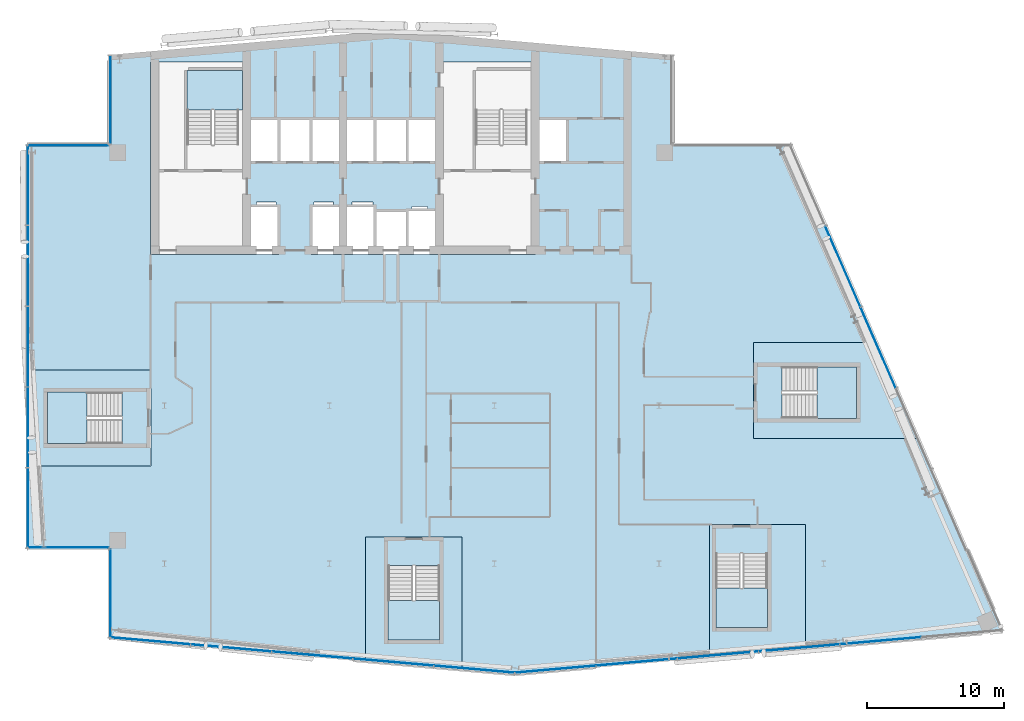
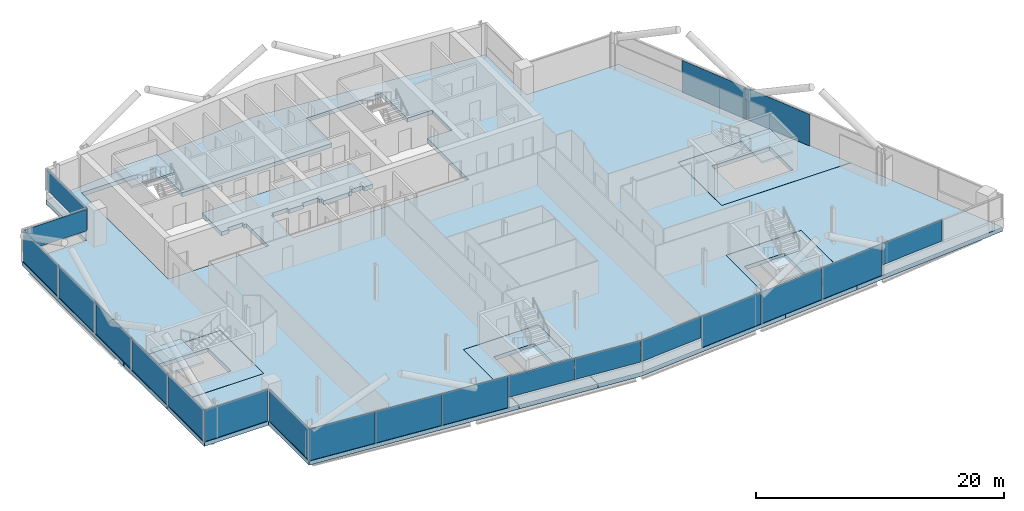
# One storey, part 13 of 25: 21 plates, 10 slabs, 13 elements without a shape of their own.
"""IFC4 building model written with IfcOpenShell, lengths in metres."""

from ifc_helpers import new_model, si_unit, direction, frame, origin, origin_2d, place, context, subcontext, project, spatial, polyline, rectangle, outline, extrude, material, layer, layer_set, type_object, element, aggregate, save


model = new_model("IFC4")

# Units and contexts
model_context = context("Model", 3, precision=1e-05, world=origin(), true_north=direction((0.0, 1.0)))
body_context = subcontext(model_context, "Body", "Model", "MODEL_VIEW")
ifc_project = project(units=[si_unit("LENGTHUNIT", "METRE"), si_unit("AREAUNIT", "SQUARE_METRE"), si_unit("VOLUMEUNIT", "CUBIC_METRE"), si_unit("PLANEANGLEUNIT", "RADIAN"), si_unit("MASSUNIT", "GRAM", prefix="KILO")], contexts=[model_context])

# Site, building, storey
site_placement = place(None, origin())
site = spatial("IfcSite", under=ifc_project, at=site_placement, CompositionType="ELEMENT")
building_placement = place(site_placement, origin())
building = spatial("IfcBuilding", under=site, at=building_placement, Name="Wharfspan Tower", CompositionType="ELEMENT")
storey_placement = place(building_placement, frame((0.0, 0.0, 239.5)))
storey = spatial("IfcBuildingStorey", under=building, at=storey_placement, Name="L60", CompositionType="ELEMENT", Elevation=239.5)

# Curtain wall, plates
ifc_material_1 = material(Name="Aluminium 6063-T6", Category="aluminium")
curtain_wall_type_1 = type_object("IfcCurtainWallType", Name="CURTAIN WALL FACETED FRONT", PredefinedType="NOTDEFINED", material=ifc_material_1)
curtain_wall_1_placement = place(storey_placement, origin())
curtain_wall_1 = element("IfcCurtainWall", 1, at=curtain_wall_1_placement, inside=storey, type_object=curtain_wall_type_1, Name="Curtain wall S1", PredefinedType="NOTDEFINED")
ifc_material_2 = material(Name="Glass clear low-iron double glazing", Category="glass")
ifc_layer_1 = layer(ifc_material_2, 0.040039)
ifc_layer_set_1 = layer_set([ifc_layer_1], Name="Glass clear low-iron double glazing")
plate_type_1 = type_object("IfcPlateType", Name="GLASS PANEL FACETED FRONT 40", PredefinedType="CURTAIN_PANEL", material=ifc_layer_set_1)
plate_1_placement = place(storey_placement, frame((40.655273, 4.328125, 1.0), z_axis=(0.0, 0.0, 1.0), x_axis=(0.996197, -0.087156, 0.0)))
plate_1 = element("IfcPlate", 2, at=plate_1_placement, type_object=plate_type_1, Name="Curtain wall S1 panel 4", PredefinedType="CURTAIN_PANEL", context=body_context, shape_type="SweptSolid", body=[
    extrude(rectangle(XDim=5.862549, YDim=0.040039, at=origin_2d()), origin(), (0.0, 0.0, 1.0), 2.120117),
])
plate_2_placement = place(storey_placement, frame((46.540283, 3.813232, 1.0), z_axis=(0.0, 0.0, 1.0), x_axis=(0.996197, -0.087156, 0.0)))
plate_2 = element("IfcPlate", 3, at=plate_2_placement, type_object=plate_type_1, Name="Curtain wall S1 panel 5", PredefinedType="CURTAIN_PANEL", context=body_context, shape_type="SweptSolid", body=[
    extrude(rectangle(XDim=5.83252, YDim=0.040039, at=origin_2d()), origin(), (0.0, 0.0, 1.0), 2.120117),
])

curtain_wall_2_placement = place(storey_placement, origin())
curtain_wall_2 = element("IfcCurtainWall", 4, at=curtain_wall_2_placement, inside=storey, type_object=curtain_wall_type_1, Name="Curtain wall S2", PredefinedType="NOTDEFINED")
plate_3_placement = place(storey_placement, frame((52.468018, 3.813965, 1.0), z_axis=(0.0, 0.0, 1.0), x_axis=(0.996197, 0.087156, 0.0)))
plate_3 = element("IfcPlate", 5, at=plate_3_placement, type_object=plate_type_1, Name="Curtain wall S2 panel 1", PredefinedType="CURTAIN_PANEL", context=body_context, shape_type="SweptSolid", body=[
    extrude(rectangle(XDim=5.849365, YDim=0.040039, at=origin_2d()), origin(), (0.0, 0.0, 1.0), 2.120117),
])
plate_4_placement = place(storey_placement, frame((76.119873, 5.883301, 1.0), z_axis=(0.0, 0.0, 1.0), x_axis=(0.996197, 0.087156, 0.0)))
plate_4 = element("IfcPlate", 6, at=plate_4_placement, type_object=plate_type_1, Name="Curtain wall S2 panel 5", PredefinedType="CURTAIN_PANEL", context=body_context, shape_type="SweptSolid", body=[
    extrude(rectangle(XDim=5.87915, YDim=0.040039, at=origin_2d()), origin(), (0.0, 0.0, 1.0), 2.120117),
])

# Curtain wall, plate
curtain_wall_type_2 = type_object("IfcCurtainWallType", Name="CURTAIN WALL PROW AND END", PredefinedType="NOTDEFINED", material=ifc_material_1)
curtain_wall_3_placement = place(storey_placement, origin())
curtain_wall_3 = element("IfcCurtainWall", 7, at=curtain_wall_3_placement, inside=storey, type_object=curtain_wall_type_2, Name="Curtain wall NRW-V", PredefinedType="NOTDEFINED")
ifc_layer_2 = layer(ifc_material_2, 0.040039)
ifc_layer_set_2 = layer_set([ifc_layer_2], Name="Glass clear low-iron double glazing")
plate_type_2 = type_object("IfcPlateType", Name="GLASS PANEL PROW AND END 40", PredefinedType="CURTAIN_PANEL", material=ifc_layer_set_2)
plate_5_placement = place(storey_placement, frame((20.080078, 45.262451, 1.0), z_axis=(0.0, 0.0, 1.0), x_axis=(0.0, -1.0, 0.0)))
plate_5 = element("IfcPlate", 8, at=plate_5_placement, type_object=plate_type_2, Name="Curtain wall NRW-V panel 1", PredefinedType="CURTAIN_PANEL", context=body_context, shape_type="SweptSolid", body=[
    extrude(rectangle(XDim=6.405029, YDim=0.040039, at=origin_2d()), origin(), (0.0, 0.0, 1.0), 2.120117),
])
aggregate(curtain_wall_3, [plate_5])

curtain_wall_4_placement = place(storey_placement, origin())
curtain_wall_4 = element("IfcCurtainWall", 9, at=curtain_wall_4_placement, inside=storey, type_object=curtain_wall_type_2, Name="Curtain wall NRW-H", PredefinedType="NOTDEFINED")
plate_6_placement = place(storey_placement, frame((17.0, 41.919922, 1.0), z_axis=(0.0, 0.0, 1.0), x_axis=(-1.0, 0.0, 0.0)))
plate_6 = element("IfcPlate", 10, at=plate_6_placement, type_object=plate_type_2, Name="Curtain wall NRW-H panel 1", PredefinedType="CURTAIN_PANEL", context=body_context, shape_type="SweptSolid", body=[
    extrude(rectangle(XDim=5.879883, YDim=0.040039, at=origin_2d()), origin(), (0.0, 0.0, 1.0), 2.120117),
])
aggregate(curtain_wall_4, [plate_6])

# Plate
ifc_material_3 = material(Name="Aluminium composite opaque insulated panel", Category="aluminium")
ifc_layer_3 = layer(ifc_material_3, 0.040039)
ifc_layer_set_3 = layer_set([ifc_layer_3], Name="Aluminium composite opaque insulated panel")
plate_type_3 = type_object("IfcPlateType", Name="INFILL PANEL FACETED FRONT OPAQUE 40", PredefinedType="SHEET", material=ifc_layer_set_3)
plate_7_placement = place(storey_placement, frame((22.970215, 5.875488, 0.0), z_axis=(0.0, 0.0, 1.0), x_axis=(0.996197, -0.087156, 0.0)))
plate_7 = element("IfcPlate", 11, at=plate_7_placement, type_object=plate_type_3, Name="Curtain wall S1 panel 1", PredefinedType="SHEET", context=body_context, shape_type="SweptSolid", body=[
    extrude(rectangle(XDim=5.83252, YDim=0.040039, at=origin_2d()), origin(), (0.0, 0.0, 1.0), 3.120117),
])

plate_8_placement = place(storey_placement, frame((28.855225, 5.360596, 0.0), z_axis=(0.0, 0.0, 1.0), x_axis=(0.996197, -0.087156, 0.0)))
plate_8 = element("IfcPlate", 12, at=plate_8_placement, type_object=plate_type_3, Name="Curtain wall S1 panel 2", PredefinedType="SHEET", context=body_context, shape_type="SweptSolid", body=[
    extrude(rectangle(XDim=5.862549, YDim=0.040039, at=origin_2d()), origin(), (0.0, 0.0, 1.0), 3.120117),
])

plate_9_placement = place(storey_placement, frame((34.755127, 4.844482, 0.0), z_axis=(0.0, 0.0, 1.0), x_axis=(0.996197, -0.087156, 0.0)))
plate_9 = element("IfcPlate", 13, at=plate_9_placement, type_object=plate_type_3, Name="Curtain wall S1 panel 3", PredefinedType="SHEET", context=body_context, shape_type="SweptSolid", body=[
    extrude(rectangle(XDim=5.862549, YDim=0.040039, at=origin_2d()), origin(), (0.0, 0.0, 1.0), 3.120117),
])

aggregate(curtain_wall_1, [plate_7, plate_8, plate_9, plate_1, plate_2])

plate_10_placement = place(storey_placement, frame((58.369873, 4.330322, 0.0), z_axis=(0.0, 0.0, 1.0), x_axis=(0.996197, 0.087156, 0.0)))
plate_10 = element("IfcPlate", 14, at=plate_10_placement, type_object=plate_type_3, Name="Curtain wall S2 panel 2", PredefinedType="SHEET", context=body_context, shape_type="SweptSolid", body=[
    extrude(rectangle(XDim=5.87915, YDim=0.040039, at=origin_2d()), origin(), (0.0, 0.0, 1.0), 3.120117),
])

plate_11_placement = place(storey_placement, frame((64.286377, 4.848145, 0.0), z_axis=(0.0, 0.0, 1.0), x_axis=(0.996197, 0.087156, 0.0)))
plate_11 = element("IfcPlate", 15, at=plate_11_placement, type_object=plate_type_3, Name="Curtain wall S2 panel 3", PredefinedType="SHEET", context=body_context, shape_type="SweptSolid", body=[
    extrude(rectangle(XDim=5.87915, YDim=0.040039, at=origin_2d()), origin(), (0.0, 0.0, 1.0), 3.120117),
])

plate_12_placement = place(storey_placement, frame((70.203125, 5.365723, 0.0), z_axis=(0.0, 0.0, 1.0), x_axis=(0.996197, 0.087156, 0.0)))
plate_12 = element("IfcPlate", 16, at=plate_12_placement, type_object=plate_type_3, Name="Curtain wall S2 panel 4", PredefinedType="SHEET", context=body_context, shape_type="SweptSolid", body=[
    extrude(rectangle(XDim=5.87915, YDim=0.040039, at=origin_2d()), origin(), (0.0, 0.0, 1.0), 3.120117),
])

aggregate(curtain_wall_2, [plate_3, plate_10, plate_11, plate_12, plate_4])

# Curtain wall, plates
curtain_wall_5_placement = place(storey_placement, origin())
curtain_wall_5 = element("IfcCurtainWall", 17, at=curtain_wall_5_placement, inside=storey, type_object=curtain_wall_type_2, Name="Curtain wall E", PredefinedType="NOTDEFINED")
ifc_layer_4 = layer(ifc_material_3, 0.040039)
ifc_layer_set_4 = layer_set([ifc_layer_4], Name="Aluminium composite opaque insulated panel")
plate_type_4 = type_object("IfcPlateType", Name="INFILL PANEL PROW AND END OPAQUE 40", PredefinedType="SHEET", material=ifc_layer_set_4)
plate_13_placement = place(storey_placement, frame((75.948486, 27.218018, 0.0), z_axis=(0.0, 0.0, 1.0), x_axis=(-0.398727, 0.917072, 0.0)))
plate_13 = element("IfcPlate", 18, at=plate_13_placement, type_object=plate_type_4, Name="Curtain wall E panel 4", PredefinedType="SHEET", context=body_context, shape_type="SweptSolid", body=[
    extrude(rectangle(XDim=6.373535, YDim=0.040039, at=origin_2d()), origin(), (0.0, 0.0, 1.0), 3.120117),
])
plate_14_placement = place(storey_placement, frame((73.383057, 33.118164, 0.0), z_axis=(0.0, 0.0, 1.0), x_axis=(-0.398727, 0.917072, 0.0)))
plate_14 = element("IfcPlate", 19, at=plate_14_placement, type_object=plate_type_4, Name="Curtain wall E panel 5", PredefinedType="SHEET", context=body_context, shape_type="SweptSolid", body=[
    extrude(rectangle(XDim=6.373535, YDim=0.040039, at=origin_2d()), origin(), (0.0, 0.0, 1.0), 3.120117),
])
aggregate(curtain_wall_5, [plate_13, plate_14])

curtain_wall_6_placement = place(storey_placement, origin())
curtain_wall_6 = element("IfcCurtainWall", 20, at=curtain_wall_6_placement, inside=storey, type_object=curtain_wall_type_2, Name="Curtain wall W", PredefinedType="NOTDEFINED")
plate_15_placement = place(storey_placement, frame((14.080078, 39.044922, 0.0), z_axis=(0.0, 0.0, 1.0), x_axis=(0.0, -1.0, 0.0)))
plate_15 = element("IfcPlate", 21, at=plate_15_placement, type_object=plate_type_4, Name="Curtain wall W panel 1", PredefinedType="SHEET", context=body_context, shape_type="SweptSolid", body=[
    extrude(rectangle(XDim=5.790039, YDim=0.040039, at=origin_2d()), origin(), (0.0, 0.0, 1.0), 3.120117),
])
plate_16_placement = place(storey_placement, frame((14.080078, 33.179932, 0.0), z_axis=(0.0, 0.0, 1.0), x_axis=(0.0, -1.0, 0.0)))
plate_16 = element("IfcPlate", 22, at=plate_16_placement, type_object=plate_type_4, Name="Curtain wall W panel 2", PredefinedType="SHEET", context=body_context, shape_type="SweptSolid", body=[
    extrude(rectangle(XDim=5.820068, YDim=0.040039, at=origin_2d()), origin(), (0.0, 0.0, 1.0), 3.120117),
])
plate_17_placement = place(storey_placement, frame((14.080078, 27.300049, 0.0), z_axis=(0.0, 0.0, 1.0), x_axis=(0.0, -1.0, 0.0)))
plate_17 = element("IfcPlate", 23, at=plate_17_placement, type_object=plate_type_4, Name="Curtain wall W panel 3", PredefinedType="SHEET", context=body_context, shape_type="SweptSolid", body=[
    extrude(rectangle(XDim=5.820068, YDim=0.040039, at=origin_2d()), origin(), (0.0, 0.0, 1.0), 3.120117),
])
plate_18_placement = place(storey_placement, frame((14.080078, 21.419922, 0.0), z_axis=(0.0, 0.0, 1.0), x_axis=(0.0, -1.0, 0.0)))
plate_18 = element("IfcPlate", 24, at=plate_18_placement, type_object=plate_type_4, Name="Curtain wall W panel 4", PredefinedType="SHEET", context=body_context, shape_type="SweptSolid", body=[
    extrude(rectangle(XDim=5.820068, YDim=0.040039, at=origin_2d()), origin(), (0.0, 0.0, 1.0), 3.120117),
])
plate_19_placement = place(storey_placement, frame((14.080078, 15.554932, 0.0), z_axis=(0.0, 0.0, 1.0), x_axis=(0.0, -1.0, 0.0)))
plate_19 = element("IfcPlate", 25, at=plate_19_placement, type_object=plate_type_4, Name="Curtain wall W panel 5", PredefinedType="SHEET", context=body_context, shape_type="SweptSolid", body=[
    extrude(rectangle(XDim=5.790039, YDim=0.040039, at=origin_2d()), origin(), (0.0, 0.0, 1.0), 3.120117),
])
aggregate(curtain_wall_6, [plate_15, plate_16, plate_17, plate_18, plate_19])

# Curtain wall, plate
curtain_wall_7_placement = place(storey_placement, origin())
curtain_wall_7 = element("IfcCurtainWall", 26, at=curtain_wall_7_placement, inside=storey, type_object=curtain_wall_type_2, Name="Curtain wall NFW-H", PredefinedType="NOTDEFINED")
plate_20_placement = place(storey_placement, frame((17.0, 12.679932, 0.0), z_axis=(0.0, 0.0, 1.0), x_axis=(1.0, 0.0, 0.0)))
plate_20 = element("IfcPlate", 27, at=plate_20_placement, type_object=plate_type_4, Name="Curtain wall NFW-H panel 1", PredefinedType="SHEET", context=body_context, shape_type="SweptSolid", body=[
    extrude(rectangle(XDim=5.879883, YDim=0.040039, at=origin_2d()), origin(), (0.0, 0.0, 1.0), 3.120117),
])
aggregate(curtain_wall_7, [plate_20])

curtain_wall_8_placement = place(storey_placement, origin())
curtain_wall_8 = element("IfcCurtainWall", 28, at=curtain_wall_8_placement, inside=storey, type_object=curtain_wall_type_2, Name="Curtain wall NFW-V", PredefinedType="NOTDEFINED")
plate_21_placement = place(storey_placement, frame((20.080078, 9.337646, 0.0), z_axis=(0.0, 0.0, 1.0), x_axis=(0.0, -1.0, 0.0)))
plate_21 = element("IfcPlate", 29, at=plate_21_placement, type_object=plate_type_4, Name="Curtain wall NFW-V panel 1", PredefinedType="SHEET", context=body_context, shape_type="SweptSolid", body=[
    extrude(rectangle(XDim=6.405029, YDim=0.040039, at=origin_2d()), origin(), (0.0, 0.0, 1.0), 3.120117),
])
aggregate(curtain_wall_8, [plate_21])

# Slabs
ifc_material_4 = material(Name="Concrete C40/50", Category="concrete")
ifc_layer_5 = layer(ifc_material_4, 0.399902)
ifc_layer_set_5 = layer_set([ifc_layer_5], Name="Concrete C40/50")
slab_type_1 = type_object("IfcSlabType", Name="Post-tensioned flat slab 400", PredefinedType="FLOOR", material=ifc_layer_set_5)
slab_1_placement = place(storey_placement, frame((0.0, 0.0, -0.400146)))
element("IfcSlab", 30, at=slab_1_placement, inside=storey, type_object=slab_type_1, Name="Floor slab L60", PredefinedType="FLOOR", context=body_context, shape_type="SweptSolid", body=[
    extrude(outline(polyline([(38.64209, 4.444092), (38.64209, 13.453125), (45.662109, 13.453125), (45.662109, 3.829834), (49.5, 3.494141), (63.658691, 4.73291), (63.658691, 14.356201), (70.678711, 14.356201), (70.678711, 5.347168), (85.0, 6.600098), (78.91748, 20.590088), (66.859619, 20.590088), (66.859619, 27.610107), (75.865234, 27.610107), (69.608643, 42.0), (61.0, 42.0), (61.0, 48.524902), (40.5, 50.318359), (20.0, 48.524902), (20.0, 42.0), (14.0, 42.0), (14.0, 25.610107), (23.01001, 25.610107), (23.01001, 18.590088), (14.0, 18.590088), (14.0, 12.600098), (20.0, 12.600098), (20.0, 6.075195), (38.64209, 4.444092)]), holes=[polyline([(32.126709, 37.560059), (32.343262, 37.560059), (32.343262, 33.98999), (22.98999, 33.98999), (22.98999, 48.01001), (30.01001, 48.01001), (30.01001, 43.909912), (43.98999, 43.909912), (43.98999, 48.01001), (51.01001, 48.01001), (51.01001, 43.909912), (53.343262, 43.909912), (53.343262, 40.689941), (51.01001, 40.689941), (51.01001, 33.98999), (34.656738, 33.98999), (34.656738, 37.560059), (34.873291, 37.560059), (34.873291, 37.810059), (36.293213, 37.810059), (36.293213, 37.560059), (37.666748, 37.560059), (37.666748, 37.810059), (39.166748, 37.810059), (39.166748, 37.560059), (39.343262, 37.560059), (39.343262, 37.209961), (41.656738, 37.209961), (41.656738, 37.26001), (42.023193, 37.26001), (42.023193, 37.51001), (43.143311, 37.51001), (43.143311, 37.26001), (43.98999, 37.26001), (43.98999, 40.689941), (30.01001, 40.689941), (30.01001, 37.560059), (30.706787, 37.560059), (30.706787, 37.810059), (32.126709, 37.810059), (32.126709, 37.560059)])]), origin(), (0.0, 0.0, 1.0), 0.400146),
])
slab_2_placement = place(storey_placement, frame((0.0, 0.0, -0.400146)))
element("IfcSlab", 31, at=slab_2_placement, inside=storey, type_object=slab_type_1, Name="Core floor slab L60 part 1", PredefinedType="FLOOR", context=body_context, shape_type="SweptSolid", body=[
    extrude(outline(polyline([(23.0, 19.925049), (23.0, 24.274902), (23.0, 25.600098), (14.0, 25.600098), (14.0, 18.600098), (23.0, 18.600098), (23.0, 19.925049)]), holes=[polyline([(20.899902, 23.977051), (20.900146, 23.977051), (20.900391, 23.977051), (20.900635, 23.976807), (20.900879, 23.976807), (20.900879, 23.976807), (20.901123, 23.976807), (20.901367, 23.976562), (20.901367, 23.976318), (20.901611, 23.976318), (20.901611, 23.976074), (20.901855, 23.97583), (20.901855, 23.97583), (20.901855, 23.975586), (20.9021, 23.975342), (20.9021, 23.975098), (20.9021, 23.975098), (20.9021, 20.225098), (20.9021, 20.224854), (20.9021, 20.224609), (20.901855, 20.224365), (20.901855, 20.224121), (20.901855, 20.224121), (20.901611, 20.223877), (20.901611, 20.223633), (20.901367, 20.223633), (20.901367, 20.223389), (20.901123, 20.223389), (20.900879, 20.223145), (20.900879, 20.223145), (20.900635, 20.223145), (20.900391, 20.2229), (20.900146, 20.2229), (20.899902, 20.2229), (15.5, 20.2229), (15.499756, 20.2229), (15.499512, 20.2229), (15.499512, 20.223145), (15.499268, 20.223145), (15.499023, 20.223145), (15.498779, 20.223389), (15.498779, 20.223389), (15.498535, 20.223633), (15.498535, 20.223633), (15.498291, 20.223877), (15.498291, 20.224121), (15.498291, 20.224121), (15.498047, 20.224365), (15.498047, 20.224609), (15.498047, 20.224854), (15.498047, 20.225098), (15.498047, 23.975098), (15.498047, 23.975098), (15.498047, 23.975342), (15.498047, 23.975586), (15.498291, 23.97583), (15.498291, 23.97583), (15.498291, 23.976074), (15.498535, 23.976318), (15.498535, 23.976318), (15.498779, 23.976562), (15.498779, 23.976807), (15.499023, 23.976807), (15.499268, 23.976807), (15.499512, 23.976807), (15.499512, 23.977051), (15.499756, 23.977051), (15.5, 23.977051), (20.899902, 23.977051)])]), origin(), (0.0, 0.0, 1.0), 0.400146),
])
slab_3_placement = place(storey_placement, frame((0.0, 0.0, -0.400146)))
element("IfcSlab", 32, at=slab_3_placement, inside=storey, type_object=slab_type_1, Name="Core floor slab L60 part 3", PredefinedType="FLOOR", context=body_context, shape_type="SweptSolid", body=[
    extrude(outline(polyline([(44.327148, 13.443115), (39.977051, 13.443115), (38.6521, 13.443115), (38.6521, 4.443115), (45.6521, 3.830811), (45.6521, 13.443115), (44.327148, 13.443115)]), holes=[polyline([(40.275146, 11.343262), (40.275146, 11.343506), (40.275146, 11.343506), (40.275146, 11.34375), (40.275391, 11.343994), (40.275391, 11.344238), (40.275391, 11.344238), (40.275635, 11.344482), (40.275635, 11.344482), (40.275879, 11.344727), (40.275879, 11.344971), (40.276123, 11.344971), (40.276367, 11.345215), (40.276611, 11.345215), (40.276611, 11.345215), (40.276855, 11.345215), (40.2771, 11.345215), (44.0271, 11.345215), (44.027344, 11.345215), (44.027588, 11.345215), (44.027588, 11.345215), (44.027832, 11.345215), (44.028076, 11.344971), (44.02832, 11.344971), (44.02832, 11.344727), (44.028564, 11.344482), (44.028809, 11.344482), (44.028809, 11.344238), (44.028809, 11.344238), (44.029053, 11.343994), (44.029053, 11.34375), (44.029053, 11.343506), (44.029053, 11.343506), (44.029053, 11.343262), (44.029053, 5.943115), (44.029053, 5.943115), (44.029053, 5.942871), (44.029053, 5.942627), (44.029053, 5.942383), (44.028809, 5.942383), (44.028809, 5.942139), (44.028809, 5.941895), (44.028564, 5.941895), (44.02832, 5.94165), (44.02832, 5.94165), (44.028076, 5.941406), (44.027832, 5.941406), (44.027588, 5.941406), (44.027588, 5.941406), (44.027344, 5.941162), (44.0271, 5.941162), (40.2771, 5.941162), (40.276855, 5.941162), (40.276611, 5.941406), (40.276611, 5.941406), (40.276367, 5.941406), (40.276123, 5.941406), (40.275879, 5.94165), (40.275879, 5.94165), (40.275635, 5.941895), (40.275635, 5.941895), (40.275391, 5.942139), (40.275391, 5.942383), (40.275391, 5.942383), (40.275146, 5.942627), (40.275146, 5.942871), (40.275146, 5.943115), (40.275146, 5.943115), (40.275146, 11.343262)])]), origin(), (0.0, 0.0, 1.0), 0.400146),
])
slab_4_placement = place(storey_placement, frame((0.0, 0.0, -0.400146)))
element("IfcSlab", 33, at=slab_4_placement, inside=storey, type_object=slab_type_1, Name="Core floor slab L60 part 4", PredefinedType="FLOOR", context=body_context, shape_type="SweptSolid", body=[
    extrude(outline(polyline([(70.668701, 14.346191), (68.193848, 14.346191), (63.84375, 14.346191), (63.668701, 14.346191), (63.668701, 4.733887), (70.668701, 5.346191), (70.668701, 14.346191)]), holes=[polyline([(64.141846, 12.246094), (64.141846, 12.246338), (64.141846, 12.246582), (64.141846, 12.246826), (64.14209, 12.246826), (64.14209, 12.24707), (64.14209, 12.247314), (64.142334, 12.247559), (64.142334, 12.247559), (64.142578, 12.247803), (64.142578, 12.247803), (64.142822, 12.247803), (64.143066, 12.248047), (64.143311, 12.248047), (64.143311, 12.248047), (64.143555, 12.248291), (64.143799, 12.248291), (67.893799, 12.248291), (67.894043, 12.248291), (67.894287, 12.248047), (67.894287, 12.248047), (67.894531, 12.248047), (67.894775, 12.247803), (67.89502, 12.247803), (67.89502, 12.247803), (67.895264, 12.247559), (67.895508, 12.247559), (67.895508, 12.247314), (67.895508, 12.24707), (67.895752, 12.246826), (67.895752, 12.246826), (67.895752, 12.246582), (67.895752, 12.246338), (67.895752, 12.246094), (67.895752, 6.846191), (67.895752, 6.845947), (67.895752, 6.845703), (67.895752, 6.845703), (67.895752, 6.845459), (67.895508, 6.845215), (67.895508, 6.845215), (67.895508, 6.844971), (67.895264, 6.844727), (67.89502, 6.844482), (67.89502, 6.844482), (67.894775, 6.844482), (67.894531, 6.844238), (67.894287, 6.844238), (67.894287, 6.844238), (67.894043, 6.844238), (67.893799, 6.844238), (64.143799, 6.844238), (64.143555, 6.844238), (64.143311, 6.844238), (64.143311, 6.844238), (64.143066, 6.844238), (64.142822, 6.844482), (64.142578, 6.844482), (64.142578, 6.844482), (64.142334, 6.844727), (64.142334, 6.844971), (64.14209, 6.845215), (64.14209, 6.845215), (64.14209, 6.845459), (64.141846, 6.845703), (64.141846, 6.845703), (64.141846, 6.845947), (64.141846, 6.846191), (64.141846, 12.246094)])]), origin(), (0.0, 0.0, 1.0), 0.400146),
])
slab_5_placement = place(storey_placement, frame((0.0, 0.0, -0.400146)))
element("IfcSlab", 34, at=slab_5_placement, inside=storey, type_object=slab_type_1, Name="Core floor slab L60 part 5", PredefinedType="FLOOR", context=body_context, shape_type="SweptSolid", body=[
    extrude(outline(polyline([(75.869629, 27.600098), (66.869629, 27.600098), (66.869629, 26.125), (66.869629, 21.774902), (66.869629, 20.600098), (78.913086, 20.600098), (75.869629, 27.600098)]), holes=[polyline([(68.967529, 25.824951), (68.967529, 25.825195), (68.967529, 25.825439), (68.967773, 25.825684), (68.967773, 25.825684), (68.967773, 25.825928), (68.968018, 25.826172), (68.968018, 25.826416), (68.968262, 25.826416), (68.968262, 25.826416), (68.968506, 25.82666), (68.968506, 25.826904), (68.96875, 25.826904), (68.968994, 25.826904), (68.969238, 25.826904), (68.969482, 25.826904), (68.969482, 25.826904), (74.369629, 25.826904), (74.369873, 25.826904), (74.370117, 25.826904), (74.370117, 25.826904), (74.370361, 25.826904), (74.370605, 25.826904), (74.370605, 25.82666), (74.37085, 25.826416), (74.371094, 25.826416), (74.371094, 25.826416), (74.371094, 25.826172), (74.371338, 25.825928), (74.371338, 25.825684), (74.371582, 25.825684), (74.371582, 25.825439), (74.371582, 25.825195), (74.371582, 25.824951), (74.371582, 22.074951), (74.371582, 22.074707), (74.371582, 22.074707), (74.371582, 22.074463), (74.371338, 22.074219), (74.371338, 22.074219), (74.371094, 22.073975), (74.371094, 22.07373), (74.371094, 22.073486), (74.37085, 22.073486), (74.370605, 22.073242), (74.370605, 22.073242), (74.370361, 22.073242), (74.370117, 22.072998), (74.370117, 22.072998), (74.369873, 22.072998), (74.369629, 22.072998), (68.969482, 22.072998), (68.969482, 22.072998), (68.969238, 22.072998), (68.968994, 22.072998), (68.96875, 22.073242), (68.968506, 22.073242), (68.968506, 22.073242), (68.968262, 22.073486), (68.968262, 22.073486), (68.968018, 22.07373), (68.968018, 22.073975), (68.967773, 22.074219), (68.967773, 22.074219), (68.967773, 22.074463), (68.967529, 22.074707), (68.967529, 22.074707), (68.967529, 22.074951), (68.967529, 25.824951)])]), origin(), (0.0, 0.0, 1.0), 0.400146),
])

# Stair, slab
stair_type = type_object("IfcStairType", Name="Half-turn stair 20 risers 180 mm", PredefinedType="HALF_TURN_STAIR", material=ifc_material_4)
stair_1_placement = place(storey_placement, origin())
stair_1 = element("IfcStair", 35, at=stair_1_placement, inside=storey, type_object=stair_type, Name="L60 stair ST1", PredefinedType="HALF_TURN_STAIR")
ifc_layer_6 = layer(ifc_material_4, 0.199951)
ifc_layer_set_6 = layer_set([ifc_layer_6], Name="Concrete C40/50")
slab_type_2 = type_object("IfcSlabType", Name="Stair landing 200", PredefinedType="LANDING", material=ifc_layer_set_6)
slab_6_placement = place(storey_placement, frame((0.0, 0.0, 1.599854)))
slab_6 = element("IfcSlab", 36, at=slab_6_placement, type_object=slab_type_2, Name="ST1 landing 1", PredefinedType="LANDING", context=body_context, shape_type="SweptSolid", body=[
    extrude(outline(polyline([(25.649902, 44.52002), (29.699951, 44.52002), (29.699951, 47.399902), (25.649902, 47.399902), (25.649902, 44.52002)])), origin(), (0.0, 0.0, 1.0), 0.200195),
])
aggregate(stair_1, [slab_6])

stair_2_placement = place(storey_placement, origin())
stair_2 = element("IfcStair", 37, at=stair_2_placement, inside=storey, type_object=stair_type, Name="L60 stair ST3", PredefinedType="HALF_TURN_STAIR")
slab_7_placement = place(storey_placement, frame((0.0, 0.0, 1.599854)))
slab_7 = element("IfcSlab", 38, at=slab_7_placement, type_object=slab_type_2, Name="ST3 landing 1", PredefinedType="LANDING", context=body_context, shape_type="SweptSolid", body=[
    extrude(outline(polyline([(18.379883, 23.975098), (15.5, 23.975098), (15.5, 20.225098), (18.379883, 20.225098), (18.379883, 23.975098)])), origin(), (0.0, 0.0, 1.0), 0.200195),
])
aggregate(stair_2, [slab_7])

stair_3_placement = place(storey_placement, origin())
stair_3 = element("IfcStair", 39, at=stair_3_placement, inside=storey, type_object=stair_type, Name="L60 stair ST4", PredefinedType="HALF_TURN_STAIR")
slab_8_placement = place(storey_placement, frame((0.0, 0.0, 1.599854)))
slab_8 = element("IfcSlab", 40, at=slab_8_placement, type_object=slab_type_2, Name="ST4 landing 1", PredefinedType="LANDING", context=body_context, shape_type="SweptSolid", body=[
    extrude(outline(polyline([(40.2771, 8.823242), (40.2771, 5.943115), (44.0271, 5.943115), (44.0271, 8.823242), (40.2771, 8.823242)])), origin(), (0.0, 0.0, 1.0), 0.200195),
])
aggregate(stair_3, [slab_8])

stair_4_placement = place(storey_placement, origin())
stair_4 = element("IfcStair", 41, at=stair_4_placement, inside=storey, type_object=stair_type, Name="L60 stair ST5", PredefinedType="HALF_TURN_STAIR")
slab_9_placement = place(storey_placement, frame((0.0, 0.0, 1.599854)))
slab_9 = element("IfcSlab", 42, at=slab_9_placement, type_object=slab_type_2, Name="ST5 landing 1", PredefinedType="LANDING", context=body_context, shape_type="SweptSolid", body=[
    extrude(outline(polyline([(64.143799, 9.726074), (64.143799, 6.846191), (67.893799, 6.846191), (67.893799, 9.726074), (64.143799, 9.726074)])), origin(), (0.0, 0.0, 1.0), 0.200195),
])
aggregate(stair_4, [slab_9])

stair_5_placement = place(storey_placement, origin())
stair_5 = element("IfcStair", 43, at=stair_5_placement, inside=storey, type_object=stair_type, Name="L60 stair ST6", PredefinedType="HALF_TURN_STAIR")
slab_10_placement = place(storey_placement, frame((0.0, 0.0, 1.599854)))
slab_10 = element("IfcSlab", 44, at=slab_10_placement, type_object=slab_type_2, Name="ST6 landing 1", PredefinedType="LANDING", context=body_context, shape_type="SweptSolid", body=[
    extrude(outline(polyline([(71.489502, 22.074951), (74.369629, 22.074951), (74.369629, 25.824951), (71.489502, 25.824951), (71.489502, 22.074951)])), origin(), (0.0, 0.0, 1.0), 0.200195),
])
aggregate(stair_5, [slab_10])

save(model, "model.ifc")
